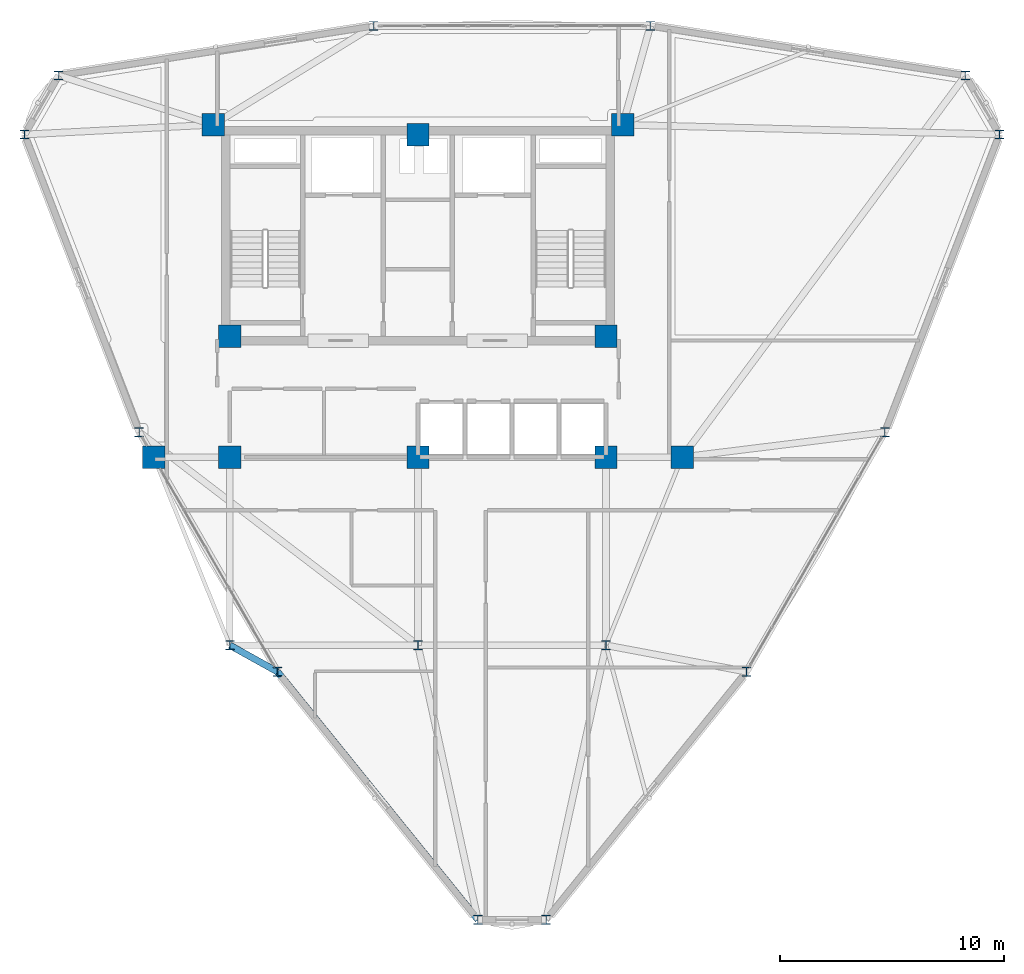
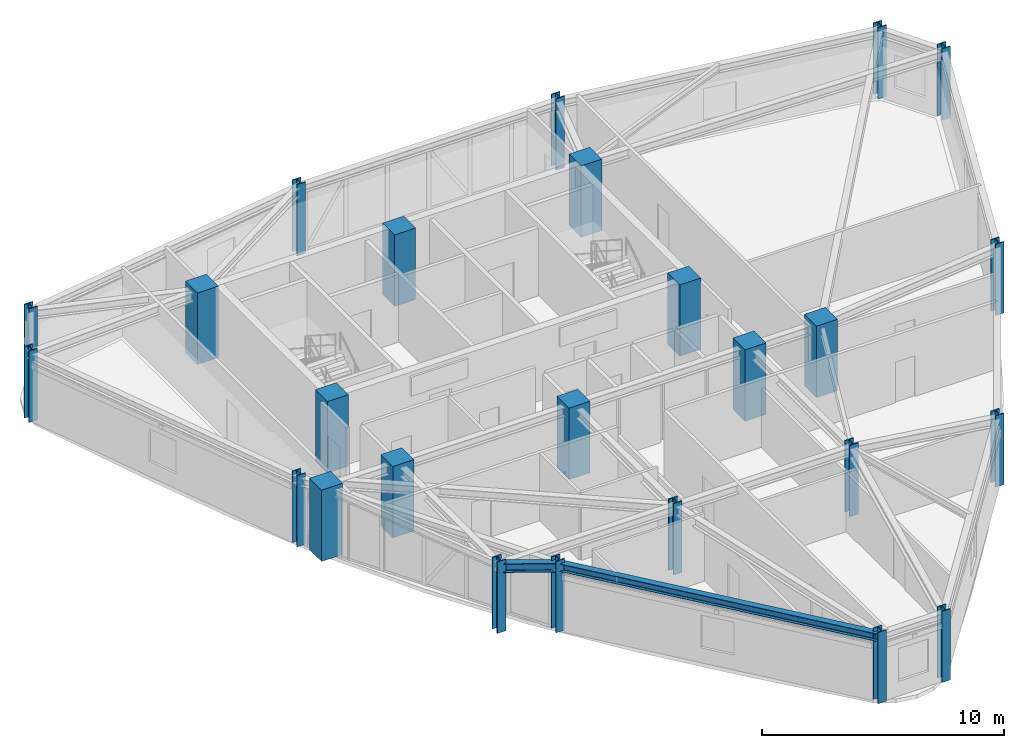
# One storey, part 1 of 18: 25 columns, 2 beams.
"""IFC4 building model written with IfcOpenShell, lengths in metres."""

from ifc_helpers import new_model, si_unit, derived_unit, direction, frame, origin, origin_2d, place, context, subcontext, project, spatial, rectangle, i_section, extrude, source, transform, mapped, material, material_profile, profile_set, type_object, element, save


model = new_model("IFC4")

# Units and contexts
model_context = context("Model", 3, precision=1e-05, world=origin(), true_north=direction((0.0, 1.0)))
body_context = subcontext(model_context, "Body", "Model", "MODEL_VIEW")
ifc_project = project(units=[si_unit("LENGTHUNIT", "METRE"), si_unit("AREAUNIT", "SQUARE_METRE"), si_unit("VOLUMEUNIT", "CUBIC_METRE"), si_unit("PLANEANGLEUNIT", "RADIAN"), si_unit("MASSUNIT", "GRAM", prefix="KILO"), derived_unit("THERMALTRANSMITTANCEUNIT", [(si_unit("POWERUNIT", "WATT"), 1), (si_unit("LENGTHUNIT", "METRE"), -2), (si_unit("THERMODYNAMICTEMPERATUREUNIT", "KELVIN"), -1)])], contexts=[model_context])

# Site, building, storey
site_placement = place(None, origin())
site = spatial("IfcSite", under=ifc_project, at=site_placement, CompositionType="ELEMENT")
building_placement = place(site_placement, origin())
building = spatial("IfcBuilding", under=site, at=building_placement, Name="Korsvarv Bourse and Concert Hall", CompositionType="ELEMENT")
storey_placement = place(building_placement, frame((0.0, 0.0, 209.39990234375)))
storey = spatial("IfcBuildingStorey", under=building, at=storey_placement, Name="L54", CompositionType="ELEMENT", Elevation=209.39990234375)

# Columns
ifc_material_1 = material(Name="Steel S355", Category="steel")
ifc_material_profile_1 = material_profile(ifc_material_1, i_section(OverallWidth=0.412109375, OverallDepth=0.43505859375, WebThickness=0.032958984375, FlangeThickness=0.052978515625, FilletRadius=0.014892578125, at=origin_2d()), Name="HD 400x463")
ifc_profile_set_1 = profile_set([ifc_material_profile_1], Name="Steel S355")
column_type_1 = type_object("IfcColumnType", Name="COL-HD463", PredefinedType="COLUMN", material=ifc_profile_set_1)
shared_shape_1 = source(origin(), body_context, "Body", "SweptSolid", [
    extrude(i_section(OverallWidth=0.412109375, OverallDepth=0.43505859375, WebThickness=0.032958984375, FlangeThickness=0.052978515625, FilletRadius=0.014892578125, at=origin_2d()), origin(), (0.0, 0.0, 1.0), 3.60009765625),
])
for number, where, z_axis, x_axis, name in (
    (1, (27.60009765625, 24.0, 0.0), (0.0, 0.0, 1.0), (1.0, 0.0, 0.0), "L54 column C-09"),
    (2, (44.39990234375, 24.0, 0.0), (0.0, 0.0, 1.0), (1.0, 0.0, 0.0), "L54 column C-09"),
    (3, (36.0, 24.0, 0.0), (0.0, 0.0, 1.0), (1.0, 0.0, 0.0), "L54 column C-09"),
):
    element("IfcColumn", number, at=place(storey_placement, frame(where, z_axis=z_axis, x_axis=x_axis)), inside=storey, type_object=column_type_1, Name=name, PredefinedType="COLUMN", context=body_context, shape_type="MappedRepresentation", body=[
        mapped(shared_shape_1, transform((0.0, 0.0, 0.0), scale=1.0)),
    ])
ifc_material_2 = material(Name="Concrete C55/67", Category="concrete")
ifc_material_profile_2 = material_profile(ifc_material_2, rectangle(XDim=1.0, YDim=1.0, at=origin_2d()), Name="RC 1000x1000")
ifc_profile_set_2 = profile_set([ifc_material_profile_2], Name="Concrete C55/67")
column_type_2 = type_object("IfcColumnType", Name="COL-RC1000", PredefinedType="COLUMN", material=ifc_profile_set_2)
shared_shape_2 = source(origin(), body_context, "Body", "SweptSolid", [
    extrude(rectangle(XDim=1.0, YDim=1.0, at=origin_2d()), origin(), (0.0, 0.0, 1.0), 3.60009765625),
])
for number, where, z_axis, x_axis, name in (
    (4, (26.85009765625, 47.25, 0.0), (0.0, 0.0, 1.0), (1.0, 0.0, 0.0), "L54 column C-03"),
    (5, (45.14990234375, 47.25, 0.0), (0.0, 0.0, 1.0), (1.0, 0.0, 0.0), "L54 column C-03"),
    (6, (27.60009765625, 37.800048828125, 0.0), (0.0, 0.0, 1.0), (1.0, 0.0, 0.0), "L54 column C-03"),
    (7, (44.39990234375, 37.800048828125, 0.0), (0.0, 0.0, 1.0), (1.0, 0.0, 0.0), "L54 column C-03"),
    (8, (27.60009765625, 32.39990234375, 0.0), (0.0, 0.0, 1.0), (1.0, 0.0, 0.0), "L54 column C-03"),
    (9, (44.39990234375, 32.39990234375, 0.0), (0.0, 0.0, 1.0), (1.0, 0.0, 0.0), "L54 column C-03"),
    (10, (36.0, 46.800048828125, 0.0), (0.0, 0.0, 1.0), (1.0, 0.0, 0.0), "L54 column C-03"),
    (11, (36.0, 32.39990234375, 0.0), (0.0, 0.0, 1.0), (1.0, 0.0, 0.0), "L54 column C-03"),
    (12, (24.199951171875, 32.39990234375, 0.0), (0.0, 0.0, 1.0), (1.0, 0.0, 0.0), "L54 column C-03"),
    (13, (47.800048828125, 32.39990234375, 0.0), (0.0, 0.0, 1.0), (1.0, 0.0, 0.0), "L54 column C-03"),
):
    element("IfcColumn", number, at=place(storey_placement, frame(where, z_axis=z_axis, x_axis=x_axis)), inside=storey, type_object=column_type_2, Name=name, PredefinedType="COLUMN", context=body_context, shape_type="MappedRepresentation", body=[
        mapped(shared_shape_2, transform((0.0, 0.0, 0.0), scale=1.0)),
    ])
ifc_material_profile_3 = material_profile(ifc_material_1, i_section(OverallWidth=0.406005859375, OverallDepth=0.416015625, WebThickness=0.027099609375, FlangeThickness=0.0439453125, FilletRadius=0.014892578125, at=origin_2d()), Name="HD 400x382")
ifc_profile_set_3 = profile_set([ifc_material_profile_3], Name="Steel S355")
column_type_3 = type_object("IfcColumnType", Name="COL-HD382", PredefinedType="COLUMN", material=ifc_profile_set_3)
shared_shape_3 = source(origin(), body_context, "Body", "SweptSolid", [
    extrude(i_section(OverallWidth=0.406005859375, OverallDepth=0.416015625, WebThickness=0.027099609375, FlangeThickness=0.0439453125, FilletRadius=0.014892578125, at=origin_2d()), origin(), (0.0, 0.0, 1.0), 3.60009765625),
])
for number, where, z_axis, x_axis, name in (
    (14, (61.97021484375, 46.811279296875, 0.0), (0.0, 0.0, 1.0), (1.0, 0.0, 0.0), "L54 column C-10"),
    (15, (60.447998046875, 49.44775390625, 0.0), (0.0, 0.0, 1.0), (1.0, 0.0, 0.0), "L54 column C-10"),
    (16, (46.376708984375, 51.66162109375, 0.0), (0.0, 0.0, 1.0), (1.0, 0.0, 0.0), "L54 column C-10"),
    (17, (34.023193359375, 51.66162109375, 0.0), (0.0, 0.0, 1.0), (1.0, 0.0, 0.0), "L54 column C-10"),
    (18, (19.951904296875, 49.44775390625, 0.0), (0.0, 0.0, 1.0), (1.0, 0.0, 0.0), "L54 column C-10"),
    (19, (18.429931640625, 46.811279296875, 0.0), (0.0, 0.0, 1.0), (1.0, 0.0, 0.0), "L54 column C-10"),
    (20, (23.548095703125, 33.518310546875, 0.0), (0.0, 0.0, 1.0), (1.0, 0.0, 0.0), "L54 column C-10"),
    (21, (29.724853515625, 22.820068359375, 0.0), (0.0, 0.0, 1.0), (1.0, 0.0, 0.0), "L54 column C-10"),
    (22, (38.677978515625, 11.74072265625, 0.0), (0.0, 0.0, 1.0), (1.0, 0.0, 0.0), "L54 column C-10"),
    (23, (41.72216796875, 11.74072265625, 0.0), (0.0, 0.0, 1.0), (1.0, 0.0, 0.0), "L54 column C-10"),
    (24, (50.675048828125, 22.820068359375, 0.0), (0.0, 0.0, 1.0), (1.0, 0.0, 0.0), "L54 column C-10"),
    (25, (56.851806640625, 33.518310546875, 0.0), (0.0, 0.0, 1.0), (1.0, 0.0, 0.0), "L54 column C-10"),
):
    element("IfcColumn", number, at=place(storey_placement, frame(where, z_axis=z_axis, x_axis=x_axis)), inside=storey, type_object=column_type_3, Name=name, PredefinedType="COLUMN", context=body_context, shape_type="MappedRepresentation", body=[
        mapped(shared_shape_3, transform((0.0, 0.0, 0.0), scale=1.0)),
    ])

# Beams
ifc_material_profile_4 = material_profile(ifc_material_1, i_section(OverallWidth=0.300048828125, OverallDepth=0.389892578125, WebThickness=0.010986328125, FlangeThickness=0.01904296875, FilletRadius=0.02099609375, at=origin_2d()), Name="HEA 400")
ifc_profile_set_4 = profile_set([ifc_material_profile_4], Name="Steel S355")
beam_type_1 = type_object("IfcBeamType", Name="BM-HEA400", PredefinedType="BEAM", material=ifc_profile_set_4)
shared_shape_4 = source(origin(), body_context, "Body", "SweptSolid", [
    extrude(i_section(OverallWidth=0.300048828125, OverallDepth=0.389892578125, WebThickness=0.010986328125, FlangeThickness=0.01904296875, FilletRadius=0.02099609375, at=origin_2d()), origin(), (0.0, 0.0, 1.0), 14.24462890625),
])
beam_1_placement = place(storey_placement, frame((29.724853515625, 22.820068359375, 3.215087890625), z_axis=(0.628524989735, -0.777789391338, 0.0), x_axis=(0.777789391338, 0.628524989735, 0.0)))
element("IfcBeam", 26, at=beam_1_placement, inside=storey, type_object=beam_type_1, Name="L54 beam B-11", PredefinedType="BEAM", context=body_context, shape_type="MappedRepresentation", body=[
    mapped(shared_shape_4, transform((0.0, 0.0, 0.0), scale=1.0)),
])
ifc_material_profile_5 = material_profile(ifc_material_1, i_section(OverallWidth=0.300048828125, OverallDepth=0.449951171875, WebThickness=0.013916015625, FlangeThickness=0.02587890625, FilletRadius=0.02099609375, at=origin_2d()), Name="HEB 450")
ifc_profile_set_5 = profile_set([ifc_material_profile_5], Name="Steel S355")
beam_type_2 = type_object("IfcBeamType", Name="BM-HEB450", PredefinedType="SPANDREL", material=ifc_profile_set_5)
shared_shape_5 = source(origin(), body_context, "Body", "SweptSolid", [
    extrude(i_section(OverallWidth=0.300048828125, OverallDepth=0.449951171875, WebThickness=0.013916015625, FlangeThickness=0.02587890625, FilletRadius=0.02099609375, at=origin_2d()), origin(), (0.0, 0.0, 1.0), 2.430419921875),
])
beam_2_placement = place(storey_placement, frame((29.724853515625, 22.820068359375, 3.18505859375), z_axis=(-0.874242552933, 0.485489401163, 0.0), x_axis=(-0.485489401163, -0.874242552933, 0.0)))
element("IfcBeam", 27, at=beam_2_placement, inside=storey, type_object=beam_type_2, Name="L54 beam B-08", PredefinedType="SPANDREL", context=body_context, shape_type="MappedRepresentation", body=[
    mapped(shared_shape_5, transform((0.0, 0.0, 0.0), scale=1.0)),
])

save(model, "model.ifc")
